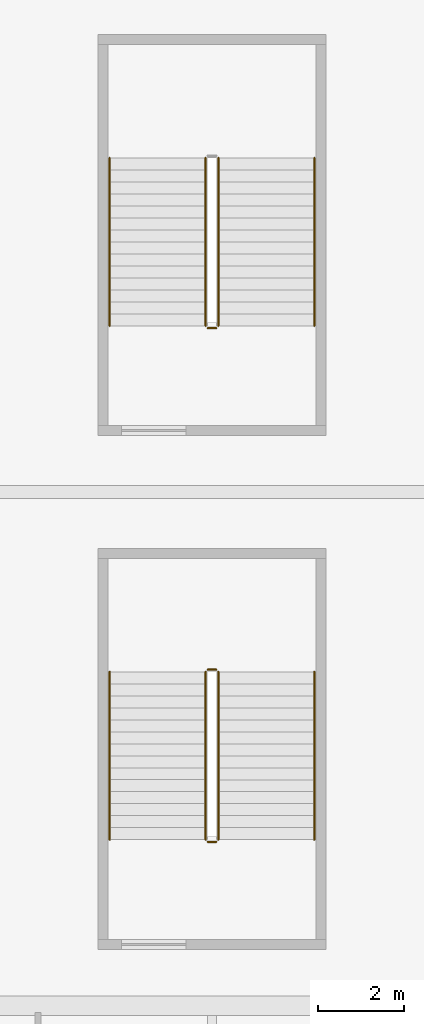
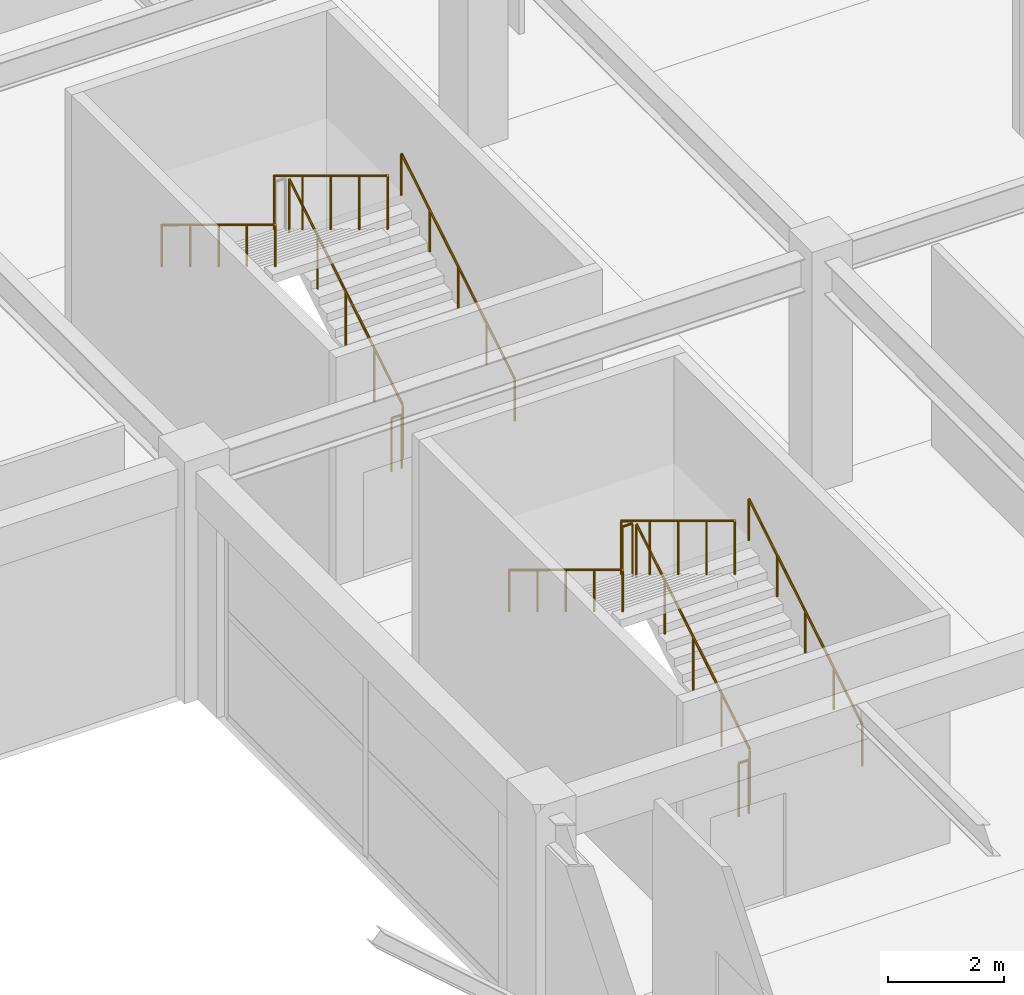
# One storey, part 108 of 116: 11 railings.
"""IFC4 building model written with IfcOpenShell, lengths in metres."""

from ifc_helpers import new_model, si_unit, direction, frame, origin, origin_2d, place, context, subcontext, project, spatial, circle, extrude, material, layer, layer_set, type_object, element, save


model = new_model("IFC4")

# Units and contexts
model_context = context("Model", 3, precision=1e-05, world=origin(), true_north=direction((0.0, 1.0)))
body_context = subcontext(model_context, "Body", "Model", "MODEL_VIEW")
ifc_project = project(units=[si_unit("LENGTHUNIT", "METRE"), si_unit("AREAUNIT", "SQUARE_METRE"), si_unit("VOLUMEUNIT", "CUBIC_METRE"), si_unit("PLANEANGLEUNIT", "RADIAN"), si_unit("MASSUNIT", "GRAM", prefix="KILO")], contexts=[model_context])

# Site, building, storey
site_placement = place(None, origin())
site = spatial("IfcSite", under=ifc_project, at=site_placement, CompositionType="ELEMENT")
building_placement = place(site_placement, origin())
building = spatial("IfcBuilding", under=site, at=building_placement, Name="Kazenohara Klinker Stadium", CompositionType="ELEMENT")
storey_placement = place(building_placement, frame((0.0, 0.0, 10.199951171875)))
storey = spatial("IfcBuildingStorey", under=building, at=storey_placement, Name="L02", CompositionType="ELEMENT", Elevation=10.199951171875)

# Railings
ifc_material_1 = material(Name="Brushed stainless steel 304 handrail", Category="steel")
ifc_layer_1 = layer(ifc_material_1, 0.050048828125)
ifc_layer_set_1 = layer_set([ifc_layer_1], Name="Brushed stainless steel 304 handrail")
railing_type_1 = type_object("IfcRailingType", Name="RL-HND-900", PredefinedType="HANDRAIL", material=ifc_layer_set_1)
railing_1_placement = place(storey_placement, frame((183.639892578125, 135.8798828125, 0.170166015625)))
element("IfcRailing", 1, at=railing_1_placement, inside=storey, type_object=railing_type_1, Name="L02 ST12 stair handrail 1", PredefinedType="HANDRAIL", context=body_context, shape_type="SweptSolid", body=[
    extrude(circle(Radius=0.02392578125, at=origin_2d()), frame((0.0, 0.0, 0.8759765625), z_axis=(0.0, 0.854808600491, 0.518943403973), x_axis=(-1.0, 0.0, 0.0)), (0.0, 0.0, 1.0), 4.5859375),
    extrude(circle(Radius=0.02099609375, at=origin_2d()), origin(), (0.0, 0.0, 1.0), 0.851806640625),
    extrude(circle(Radius=0.02099609375, at=origin_2d()), frame((0.0, 0.97998046875, 0.594970703125)), (0.0, 0.0, 1.0), 0.851806640625),
    extrude(circle(Radius=0.02099609375, at=origin_2d()), frame((0.0, 1.9599609375, 1.18994140625)), (0.0, 0.0, 1.0), 0.851806640625),
    extrude(circle(Radius=0.02099609375, at=origin_2d()), frame((0.0, 2.940185546875, 1.784912109375)), (0.0, 0.0, 1.0), 0.851806640625),
    extrude(circle(Radius=0.02099609375, at=origin_2d()), frame((0.0, 3.920166015625, 2.3798828125)), (0.0, 0.0, 1.0), 0.851806640625),
])
railing_2_placement = place(storey_placement, frame((178.860107421875, 139.800048828125, 2.719970703125)))
element("IfcRailing", 2, at=railing_2_placement, inside=storey, type_object=railing_type_1, Name="L02 ST12 stair handrail 2", PredefinedType="HANDRAIL", context=body_context, shape_type="SweptSolid", body=[
    extrude(circle(Radius=0.02392578125, at=origin_2d()), frame((0.0, 0.0, 0.8759765625), z_axis=(0.0, -0.854784984964, 0.518982301701), x_axis=(1.0, 0.0, 0.0)), (0.0, 0.0, 1.0), 4.586181640625),
    extrude(circle(Radius=0.02099609375, at=origin_2d()), origin(), (0.0, 0.0, 1.0), 0.851806640625),
    extrude(circle(Radius=0.02099609375, at=origin_2d()), frame((0.0, -0.97998046875, 0.594970703125)), (0.0, 0.0, 1.0), 0.851806640625),
    extrude(circle(Radius=0.02099609375, at=origin_2d()), frame((0.0, -1.9599609375, 1.18994140625)), (0.0, 0.0, 1.0), 0.851806640625),
    extrude(circle(Radius=0.02099609375, at=origin_2d()), frame((0.0, -2.940185546875, 1.78515625)), (0.0, 0.0, 1.0), 0.851806640625),
    extrude(circle(Radius=0.02099609375, at=origin_2d()), frame((0.0, -3.920166015625, 2.380126953125)), (0.0, 0.0, 1.0), 0.851806640625),
])
railing_3_placement = place(storey_placement, frame((183.639892578125, 123.8798828125, 0.170166015625)))
element("IfcRailing", 3, at=railing_3_placement, inside=storey, type_object=railing_type_1, Name="L02 ST24 stair handrail 1", PredefinedType="HANDRAIL", context=body_context, shape_type="SweptSolid", body=[
    extrude(circle(Radius=0.02392578125, at=origin_2d()), frame((0.0, 0.0, 0.8759765625), z_axis=(0.0, 0.854808600491, 0.518943403973), x_axis=(-1.0, 0.0, 0.0)), (0.0, 0.0, 1.0), 4.5859375),
    extrude(circle(Radius=0.02099609375, at=origin_2d()), origin(), (0.0, 0.0, 1.0), 0.851806640625),
    extrude(circle(Radius=0.02099609375, at=origin_2d()), frame((0.0, 0.97998046875, 0.594970703125)), (0.0, 0.0, 1.0), 0.851806640625),
    extrude(circle(Radius=0.02099609375, at=origin_2d()), frame((0.0, 1.9599609375, 1.18994140625)), (0.0, 0.0, 1.0), 0.851806640625),
    extrude(circle(Radius=0.02099609375, at=origin_2d()), frame((0.0, 2.940185546875, 1.784912109375)), (0.0, 0.0, 1.0), 0.851806640625),
    extrude(circle(Radius=0.02099609375, at=origin_2d()), frame((0.0, 3.920166015625, 2.3798828125)), (0.0, 0.0, 1.0), 0.851806640625),
])
railing_4_placement = place(storey_placement, frame((178.860107421875, 127.800048828125, 2.719970703125)))
element("IfcRailing", 4, at=railing_4_placement, inside=storey, type_object=railing_type_1, Name="L02 ST24 stair handrail 2", PredefinedType="HANDRAIL", context=body_context, shape_type="SweptSolid", body=[
    extrude(circle(Radius=0.02392578125, at=origin_2d()), frame((0.0, 0.0, 0.8759765625), z_axis=(0.0, -0.854784984964, 0.518982301701), x_axis=(1.0, 0.0, 0.0)), (0.0, 0.0, 1.0), 4.586181640625),
    extrude(circle(Radius=0.02099609375, at=origin_2d()), origin(), (0.0, 0.0, 1.0), 0.851806640625),
    extrude(circle(Radius=0.02099609375, at=origin_2d()), frame((0.0, -0.97998046875, 0.594970703125)), (0.0, 0.0, 1.0), 0.851806640625),
    extrude(circle(Radius=0.02099609375, at=origin_2d()), frame((0.0, -1.9599609375, 1.18994140625)), (0.0, 0.0, 1.0), 0.851806640625),
    extrude(circle(Radius=0.02099609375, at=origin_2d()), frame((0.0, -2.940185546875, 1.78515625)), (0.0, 0.0, 1.0), 0.851806640625),
    extrude(circle(Radius=0.02099609375, at=origin_2d()), frame((0.0, -3.920166015625, 2.380126953125)), (0.0, 0.0, 1.0), 0.851806640625),
])
ifc_material_2 = material(Name="Painted steel stairwell guardrail", Category="steel")
ifc_layer_2 = layer(ifc_material_2, 0.06005859375)
ifc_layer_set_2 = layer_set([ifc_layer_2], Name="Painted steel stairwell guardrail")
railing_type_2 = type_object("IfcRailingType", Name="RL-STG-1120", PredefinedType="GUARDRAIL", material=ifc_layer_set_2)
railing_5_placement = place(storey_placement, frame((181.39990234375, 135.8798828125, 0.170166015625)))
element("IfcRailing", 5, at=railing_5_placement, inside=storey, type_object=railing_type_2, Name="L02 ST12 stair guard 1", PredefinedType="GUARDRAIL", context=body_context, shape_type="SweptSolid", body=[
    extrude(circle(Radius=0.02392578125, at=origin_2d()), frame((0.0, 0.0, 1.1259765625), z_axis=(0.0, 0.854808600491, 0.518943403973), x_axis=(-1.0, 0.0, 0.0)), (0.0, 0.0, 1.0), 4.5859375),
    extrude(circle(Radius=0.02099609375, at=origin_2d()), origin(), (0.0, 0.0, 1.0), 1.101806640625),
    extrude(circle(Radius=0.02099609375, at=origin_2d()), frame((0.0, 0.97998046875, 0.594970703125)), (0.0, 0.0, 1.0), 1.101806640625),
    extrude(circle(Radius=0.02099609375, at=origin_2d()), frame((0.0, 1.9599609375, 1.18994140625)), (0.0, 0.0, 1.0), 1.101806640625),
    extrude(circle(Radius=0.02099609375, at=origin_2d()), frame((0.0, 2.940185546875, 1.784912109375)), (0.0, 0.0, 1.0), 1.101806640625),
    extrude(circle(Radius=0.02099609375, at=origin_2d()), frame((0.0, 3.920166015625, 2.3798828125)), (0.0, 0.0, 1.0), 1.101806640625),
])
railing_6_placement = place(storey_placement, frame((181.10009765625, 139.800048828125, 2.719970703125)))
element("IfcRailing", 6, at=railing_6_placement, inside=storey, type_object=railing_type_2, Name="L02 ST12 stair guard 3", PredefinedType="GUARDRAIL", context=body_context, shape_type="SweptSolid", body=[
    extrude(circle(Radius=0.02392578125, at=origin_2d()), frame((0.0, 0.0, 1.1259765625), z_axis=(0.0, -0.854784984964, 0.518982301701), x_axis=(1.0, 0.0, 0.0)), (0.0, 0.0, 1.0), 4.586181640625),
    extrude(circle(Radius=0.02099609375, at=origin_2d()), origin(), (0.0, 0.0, 1.0), 1.101806640625),
    extrude(circle(Radius=0.02099609375, at=origin_2d()), frame((0.0, -0.97998046875, 0.594970703125)), (0.0, 0.0, 1.0), 1.101806640625),
    extrude(circle(Radius=0.02099609375, at=origin_2d()), frame((0.0, -1.9599609375, 1.18994140625)), (0.0, 0.0, 1.0), 1.101806640625),
    extrude(circle(Radius=0.02099609375, at=origin_2d()), frame((0.0, -2.940185546875, 1.78515625)), (0.0, 0.0, 1.0), 1.101806640625),
    extrude(circle(Radius=0.02099609375, at=origin_2d()), frame((0.0, -3.920166015625, 2.380126953125)), (0.0, 0.0, 1.0), 1.101806640625),
])
railing_7_placement = place(storey_placement, frame((181.35009765625, 135.830078125, 0.0)))
element("IfcRailing", 7, at=railing_7_placement, inside=storey, type_object=railing_type_2, Name="L02 ST12 stair guard 4", PredefinedType="GUARDRAIL", context=body_context, shape_type="SweptSolid", body=[
    extrude(circle(Radius=0.02392578125, at=origin_2d()), frame((0.0, 0.0, 1.1259765625), z_axis=(-1.0, 0.0, 0.0), x_axis=(0.0, -1.0, 0.0)), (0.0, 0.0, 1.0), 0.2001953125),
    extrude(circle(Radius=0.02099609375, at=origin_2d()), origin(), (0.0, 0.0, 1.0), 1.101806640625),
    extrude(circle(Radius=0.02099609375, at=origin_2d()), frame((-0.2001953125, 0.0, 0.0)), (0.0, 0.0, 1.0), 1.101806640625),
])
railing_8_placement = place(storey_placement, frame((181.39990234375, 123.8798828125, 0.170166015625)))
element("IfcRailing", 8, at=railing_8_placement, inside=storey, type_object=railing_type_2, Name="L02 ST24 stair guard 1", PredefinedType="GUARDRAIL", context=body_context, shape_type="SweptSolid", body=[
    extrude(circle(Radius=0.02392578125, at=origin_2d()), frame((0.0, 0.0, 1.1259765625), z_axis=(0.0, 0.854808600491, 0.518943403973), x_axis=(-1.0, 0.0, 0.0)), (0.0, 0.0, 1.0), 4.5859375),
    extrude(circle(Radius=0.02099609375, at=origin_2d()), origin(), (0.0, 0.0, 1.0), 1.101806640625),
    extrude(circle(Radius=0.02099609375, at=origin_2d()), frame((0.0, 0.97998046875, 0.594970703125)), (0.0, 0.0, 1.0), 1.101806640625),
    extrude(circle(Radius=0.02099609375, at=origin_2d()), frame((0.0, 1.9599609375, 1.18994140625)), (0.0, 0.0, 1.0), 1.101806640625),
    extrude(circle(Radius=0.02099609375, at=origin_2d()), frame((0.0, 2.940185546875, 1.784912109375)), (0.0, 0.0, 1.0), 1.101806640625),
    extrude(circle(Radius=0.02099609375, at=origin_2d()), frame((0.0, 3.920166015625, 2.3798828125)), (0.0, 0.0, 1.0), 1.101806640625),
])
railing_9_placement = place(storey_placement, frame((181.35009765625, 127.85009765625, 2.550048828125)))
element("IfcRailing", 9, at=railing_9_placement, inside=storey, type_object=railing_type_2, Name="L02 ST24 stair guard 2", PredefinedType="GUARDRAIL", context=body_context, shape_type="SweptSolid", body=[
    extrude(circle(Radius=0.02392578125, at=origin_2d()), frame((0.0, 0.0, 1.1259765625), z_axis=(-1.0, 0.0, 0.0), x_axis=(0.0, -1.0, 0.0)), (0.0, 0.0, 1.0), 0.2001953125),
    extrude(circle(Radius=0.02099609375, at=origin_2d()), origin(), (0.0, 0.0, 1.0), 1.101806640625),
    extrude(circle(Radius=0.02099609375, at=origin_2d()), frame((-0.2001953125, 0.0, 0.0)), (0.0, 0.0, 1.0), 1.101806640625),
])
railing_10_placement = place(storey_placement, frame((181.10009765625, 127.800048828125, 2.719970703125)))
element("IfcRailing", 10, at=railing_10_placement, inside=storey, type_object=railing_type_2, Name="L02 ST24 stair guard 3", PredefinedType="GUARDRAIL", context=body_context, shape_type="SweptSolid", body=[
    extrude(circle(Radius=0.02392578125, at=origin_2d()), frame((0.0, 0.0, 1.1259765625), z_axis=(0.0, -0.854784984964, 0.518982301701), x_axis=(1.0, 0.0, 0.0)), (0.0, 0.0, 1.0), 4.586181640625),
    extrude(circle(Radius=0.02099609375, at=origin_2d()), origin(), (0.0, 0.0, 1.0), 1.101806640625),
    extrude(circle(Radius=0.02099609375, at=origin_2d()), frame((0.0, -0.97998046875, 0.594970703125)), (0.0, 0.0, 1.0), 1.101806640625),
    extrude(circle(Radius=0.02099609375, at=origin_2d()), frame((0.0, -1.9599609375, 1.18994140625)), (0.0, 0.0, 1.0), 1.101806640625),
    extrude(circle(Radius=0.02099609375, at=origin_2d()), frame((0.0, -2.940185546875, 1.78515625)), (0.0, 0.0, 1.0), 1.101806640625),
    extrude(circle(Radius=0.02099609375, at=origin_2d()), frame((0.0, -3.920166015625, 2.380126953125)), (0.0, 0.0, 1.0), 1.101806640625),
])
railing_11_placement = place(storey_placement, frame((181.35009765625, 123.830078125, 0.0)))
element("IfcRailing", 11, at=railing_11_placement, inside=storey, type_object=railing_type_2, Name="L02 ST24 stair guard 4", PredefinedType="GUARDRAIL", context=body_context, shape_type="SweptSolid", body=[
    extrude(circle(Radius=0.02392578125, at=origin_2d()), frame((0.0, 0.0, 1.1259765625), z_axis=(-1.0, 0.0, 0.0), x_axis=(0.0, -1.0, 0.0)), (0.0, 0.0, 1.0), 0.2001953125),
    extrude(circle(Radius=0.02099609375, at=origin_2d()), origin(), (0.0, 0.0, 1.0), 1.101806640625),
    extrude(circle(Radius=0.02099609375, at=origin_2d()), frame((-0.2001953125, 0.0, 0.0)), (0.0, 0.0, 1.0), 1.101806640625),
])

save(model, "model.ifc")
